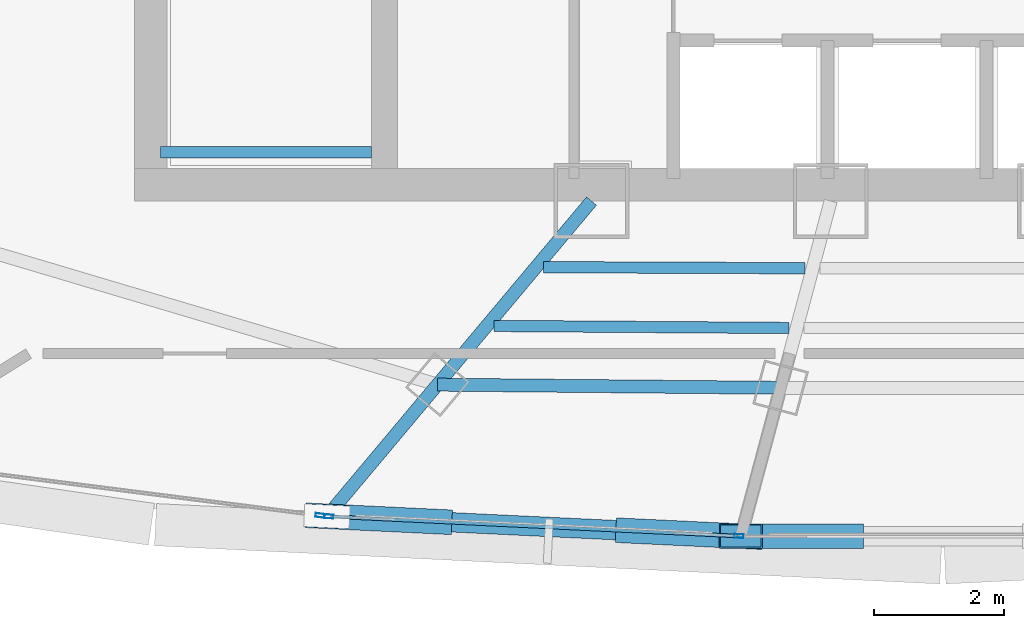
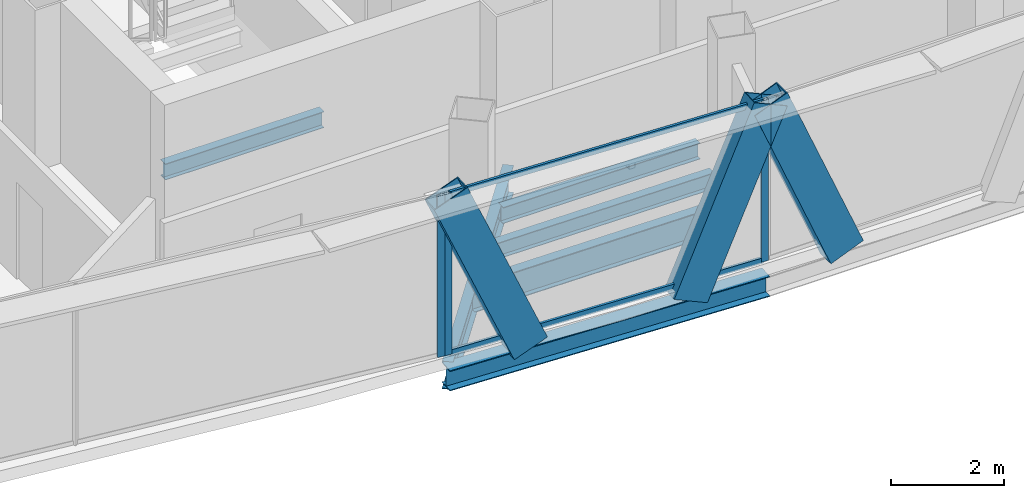
# One storey, part 4 of 30: 8 members, 6 beams, 2 elements without a shape of their own.
"""IFC4 building model written with IfcOpenShell, lengths in metres."""

from ifc_helpers import new_model, si_unit, direction, frame, origin, origin_2d, place, context, subcontext, project, spatial, hollow_rectangle, i_section, extrude, source, transform, mapped, material, layer, layer_set, material_profile, profile_set, type_object, element, aggregate, save


model = new_model("IFC4")

# Units and contexts
model_context = context("Model", 3, precision=1e-05, world=origin(), true_north=direction((0.0, 1.0)))
body_context = subcontext(model_context, "Body", "Model", "MODEL_VIEW")
ifc_project = project(units=[si_unit("LENGTHUNIT", "METRE"), si_unit("AREAUNIT", "SQUARE_METRE"), si_unit("VOLUMEUNIT", "CUBIC_METRE"), si_unit("PLANEANGLEUNIT", "RADIAN"), si_unit("MASSUNIT", "GRAM", prefix="KILO"), si_unit("THERMODYNAMICTEMPERATUREUNIT", "KELVIN"), si_unit("POWERUNIT", "WATT")], contexts=[model_context])

# Site, building, storey
site_placement = place(None, origin())
site = spatial("IfcSite", under=ifc_project, at=site_placement, CompositionType="ELEMENT")
building_placement = place(site_placement, origin())
building = spatial("IfcBuilding", under=site, at=building_placement, Name="Yunzhuo Pagoda Commons", CompositionType="ELEMENT")
storey_placement = place(building_placement, frame((0.0, 0.0, 348.010009765625)))
storey = spatial("IfcBuildingStorey", under=building, at=storey_placement, Name="L87", CompositionType="ELEMENT", Elevation=348.010009765625)

# Beams
ifc_material_1 = material(Name="Structural steel Q355B", Category="steel")
ifc_material_profile_1 = material_profile(ifc_material_1, i_section(OverallWidth=0.175048828125, OverallDepth=0.35009765625, WebThickness=0.007080078125, FlangeThickness=0.010986328125, at=origin_2d()), Name="Structural steel Q355B")
ifc_profile_set_1 = profile_set([ifc_material_profile_1], Name="Structural steel Q355B")
beam_type_1 = type_object("IfcBeamType", Name="B-JS2 Joist HN 350x175x7x11", PredefinedType="JOIST", material=ifc_profile_set_1)
shared_shape_1 = source(origin(), body_context, "Body", "SweptSolid", [
    extrude(i_section(OverallWidth=0.175048828125, OverallDepth=0.35009765625, WebThickness=0.007080078125, FlangeThickness=0.010986328125, at=origin_2d()), origin(), (0.0, 0.0, 1.0), 3.25),
])
beam_1_placement = place(storey_placement, frame((35.949951171875, 28.0, 1.5), z_axis=(1.0, 0.0, 0.0), x_axis=(0.0, 1.0, 0.0)))
element("IfcBeam", 1, at=beam_1_placement, inside=storey, type_object=beam_type_1, Name="L87 ST1 landing support beam 93A", PredefinedType="JOIST", context=body_context, shape_type="MappedRepresentation", body=[
    mapped(shared_shape_1, transform((0.0, 0.0, 0.0), scale=1.0)),
])
ifc_material_profile_2 = material_profile(ifc_material_1, i_section(OverallWidth=0.199951171875, OverallDepth=0.60009765625, WebThickness=0.010986328125, FlangeThickness=0.01708984375, at=origin_2d()), Name="Structural steel Q355B")
ifc_profile_set_2 = profile_set([ifc_material_profile_2], Name="Structural steel Q355B")
beam_type_2 = type_object("IfcBeamType", Name="B-RG3 Beam HN 600x200x11x17", PredefinedType="BEAM", material=ifc_profile_set_2)
shared_shape_2 = source(origin(), body_context, "Body", "SweptSolid", [
    extrude(i_section(OverallWidth=0.199951171875, OverallDepth=0.60009765625, WebThickness=0.010986328125, FlangeThickness=0.01708984375, at=origin_2d()), origin(), (0.0, 0.0, 1.0), 5.286376953125),
])
beam_2_placement = place(storey_placement, frame((40.214599609375, 24.421630859375, -0.56005859375), z_axis=(0.999957341442, -0.009236627946, 0.0), x_axis=(0.009236627946, 0.999957341442, 0.0)))
element("IfcBeam", 2, at=beam_2_placement, inside=storey, type_object=beam_type_2, Name="L87 column-ring beam 1", PredefinedType="BEAM", context=body_context, shape_type="MappedRepresentation", body=[
    mapped(shared_shape_2, transform((0.0, 0.0, 0.0), scale=1.0)),
])
shared_shape_3 = source(origin(), body_context, "Body", "SweptSolid", [
    extrude(i_section(OverallWidth=0.175048828125, OverallDepth=0.35009765625, WebThickness=0.007080078125, FlangeThickness=0.010986328125, at=origin_2d()), origin(), (0.0, 0.0, 1.0), 4.03076171875),
])
beam_3_placement = place(storey_placement, frame((41.848388671875, 26.231201171875, -0.43505859375), z_axis=(0.999991518197, -0.004118680996, 0.0), x_axis=(0.004118680996, 0.999991518197, 0.0)))
element("IfcBeam", 3, at=beam_3_placement, inside=storey, type_object=beam_type_1, Name="L87 composite ring joist 1.1", PredefinedType="JOIST", context=body_context, shape_type="MappedRepresentation", body=[
    mapped(shared_shape_3, transform((0.0, 0.0, 0.0), scale=1.0)),
])
shared_shape_4 = source(origin(), body_context, "Body", "SweptSolid", [
    extrude(i_section(OverallWidth=0.175048828125, OverallDepth=0.35009765625, WebThickness=0.007080078125, FlangeThickness=0.010986328125, at=origin_2d()), origin(), (0.0, 0.0, 1.0), 4.54345703125),
])
beam_4_placement = place(storey_placement, frame((41.089111328125, 25.325927734375, -0.43505859375), z_axis=(0.999975976237, -0.006931590593, 0.0), x_axis=(0.006931590593, 0.999975976237, 0.0)))
element("IfcBeam", 4, at=beam_4_placement, inside=storey, type_object=beam_type_1, Name="L87 composite ring joist 2.1", PredefinedType="JOIST", context=body_context, shape_type="MappedRepresentation", body=[
    mapped(shared_shape_4, transform((0.0, 0.0, 0.0), scale=1.0)),
])
shared_shape_5 = source(origin(), body_context, "Body", "SweptSolid", [
    extrude(i_section(OverallWidth=0.199951171875, OverallDepth=0.60009765625, WebThickness=0.010986328125, FlangeThickness=0.01708984375, at=origin_2d()), origin(), (0.0, 0.0, 1.0), 6.18505859375),
])
beam_5_placement = place(storey_placement, frame((38.6123046875, 22.511962890625, -0.56005859375), z_axis=(0.642778192614, 0.766052344882, 0.0), x_axis=(-0.766052344882, 0.642778192614, 0.0)))
element("IfcBeam", 5, at=beam_5_placement, inside=storey, type_object=beam_type_2, Name="L87 radial floor girder F1C1", PredefinedType="BEAM", context=body_context, shape_type="MappedRepresentation", body=[
    mapped(shared_shape_5, transform((0.0, 0.0, 0.0), scale=1.0)),
])
ifc_material_profile_3 = material_profile(ifc_material_1, i_section(OverallWidth=0.300048828125, OverallDepth=0.43994140625, WebThickness=0.010986328125, FlangeThickness=0.01806640625, at=origin_2d()), Name="Structural steel Q355B")
ifc_profile_set_3 = profile_set([ifc_material_profile_3], Name="Structural steel Q355B")
beam_type_3 = type_object("IfcBeamType", Name="B-SP2 Beam HM 440x300x11x18", PredefinedType="BEAM", material=ifc_profile_set_3)
shared_shape_6 = source(origin(), body_context, "Body", "SweptSolid", [
    extrude(i_section(OverallWidth=0.300048828125, OverallDepth=0.43994140625, WebThickness=0.010986328125, FlangeThickness=0.01806640625, at=origin_2d()), origin(), (0.0, 0.0, 1.0), 6.38330078125),
])
beam_6_placement = place(storey_placement, frame((38.512451171875, 22.3935546875, -0.47998046875), z_axis=(0.998852857038, -0.04788496619, 0.0), x_axis=(0.04788496619, 0.998852857038, 0.0)))
element("IfcBeam", 6, at=beam_6_placement, inside=storey, type_object=beam_type_3, Name="L87 facade edge spandrel beam F1.1", PredefinedType="BEAM", context=body_context, shape_type="MappedRepresentation", body=[
    mapped(shared_shape_6, transform((0.0, 0.0, 0.0), scale=1.0)),
])

# Members
ifc_material_profile_4 = material_profile(ifc_material_1, hollow_rectangle(XDim=0.3798828125, YDim=0.719970703125, WallThickness=0.02001953125, at=origin_2d()), Name="Structural steel Q355B")
ifc_profile_set_4 = profile_set([ifc_material_profile_4], Name="Structural steel Q355B")
member_type_1 = type_object("IfcMemberType", Name="M-DL3 Brace BOX 720x380x20", PredefinedType="BRACE", material=ifc_profile_set_4)
shared_shape_7 = source(origin(), body_context, "Body", "SweptSolid", [
    extrude(hollow_rectangle(XDim=0.3798828125, YDim=0.719970703125, WallThickness=0.02001953125, at=origin_2d()), origin(), (0.0, 0.0, 1.0), 4.075439453125),
])
for number, where, z_axis, x_axis, name in (
    (7, (40.1064453125, 22.317138671875, -0.260009765625), (-0.391122616009, 0.018750402636, 0.92014755428), (-0.04788496619, -0.998852857038, 0.0), "L87 facade diamond brace F1.1L"),
    (8, (43.29443359375, 22.164306640625, -0.260009765625), (0.391122616009, -0.018750402636, 0.92014755428), (0.04788496619, 0.998852857038, 0.0), "L87 facade diamond brace F1.1R"),
):
    element("IfcMember", number, at=place(storey_placement, frame(where, z_axis=z_axis, x_axis=x_axis)), inside=storey, type_object=member_type_1, Name=name, PredefinedType="BRACE", context=body_context, shape_type="MappedRepresentation", body=[
        mapped(shared_shape_7, transform((0.0, 0.0, 0.0), scale=1.0)),
    ])
shared_shape_8 = source(origin(), body_context, "Body", "SweptSolid", [
    extrude(hollow_rectangle(XDim=0.3798828125, YDim=0.719970703125, WallThickness=0.02001953125, at=origin_2d()), origin(), (0.0, 0.0, 1.0), 4.059814453125),
])
member_1_placement = place(storey_placement, frame((46.444091796875, 22.087890625, -0.260009765625), z_axis=(-0.383180219936, 0.0, 0.923673599845), x_axis=(0.0, -1.0, 0.0)))
element("IfcMember", 9, at=member_1_placement, inside=storey, type_object=member_type_1, Name="L87 facade diamond brace F1.2L", PredefinedType="BRACE", context=body_context, shape_type="MappedRepresentation", body=[
    mapped(shared_shape_8, transform((0.0, 0.0, 0.0), scale=1.0)),
])

# Curtain wall, members
ifc_material_2 = material(Name="Anodized aluminium 6063-T6", Category="aluminium")
ifc_layer = layer(ifc_material_2, 0.139892578125)
ifc_layer_set = layer_set([ifc_layer], Name="Anodized aluminium 6063-T6")
curtain_wall_type = type_object("IfcCurtainWallType", Name="CW-HI High-Zone Ribbon Curtain Wall", PredefinedType="NOTDEFINED", material=ifc_layer_set)
curtain_wall_1_placement = place(storey_placement, origin())
curtain_wall_1 = element("IfcCurtainWall", 10, at=curtain_wall_1_placement, inside=storey, type_object=curtain_wall_type, Name="L87 curtain wall CW-L87-F1B2", PredefinedType="NOTDEFINED")
ifc_material_profile_5 = material_profile(ifc_material_2, hollow_rectangle(XDim=0.06005859375, YDim=0.139892578125, WallThickness=0.00341796875, at=origin_2d()), Name="Anodized aluminium 6063-T6")
ifc_profile_set_5 = profile_set([ifc_material_profile_5], Name="Anodized aluminium 6063-T6")
member_type_2 = type_object("IfcMemberType", Name="CW-HI-M Mullion RHS 140x60x3.5", PredefinedType="MULLION", material=ifc_profile_set_5)
shared_shape_9 = source(origin(), body_context, "Body", "SweptSolid", [
    extrude(hollow_rectangle(XDim=0.06005859375, YDim=0.139892578125, WallThickness=0.00341796875, at=origin_2d()), origin(), (0.0, 0.0, 1.0), 3.489990234375),
])
member_2_placement = place(storey_placement, frame((38.542724609375, 22.391845703125, 0.0), z_axis=(0.0, 0.0, 1.0), x_axis=(0.047859147719, 0.99885409444, 0.0)))
member_2 = element("IfcMember", 11, at=member_2_placement, type_object=member_type_2, Name="CW mullion 1", PredefinedType="MULLION", context=body_context, shape_type="MappedRepresentation", body=[
    mapped(shared_shape_9, transform((0.0, 0.0, 0.0), scale=1.0)),
])
member_3_placement = place(storey_placement, frame((44.858642578125, 22.089111328125, 0.0), z_axis=(0.0, 0.0, 1.0), x_axis=(0.047859147719, 0.99885409444, 0.0)))
member_3 = element("IfcMember", 12, at=member_3_placement, type_object=member_type_2, Name="CW mullion 2", PredefinedType="MULLION", context=body_context, shape_type="MappedRepresentation", body=[
    mapped(shared_shape_9, transform((0.0, 0.0, 0.0), scale=1.0)),
])

# Curtain wall, member
curtain_wall_2_placement = place(storey_placement, origin())
curtain_wall_2 = element("IfcCurtainWall", 13, at=curtain_wall_2_placement, inside=storey, type_object=curtain_wall_type, Name="L87 curtain wall CW-L87-F1B1", PredefinedType="NOTDEFINED")
member_4_placement = place(storey_placement, frame((38.408447265625, 22.406494140625, 0.0), z_axis=(0.0, 0.0, 1.0), x_axis=(0.126570661327, 0.991957593696, 0.0)))
member_4 = element("IfcMember", 14, at=member_4_placement, type_object=member_type_2, Name="CW mullion 2", PredefinedType="MULLION", context=body_context, shape_type="MappedRepresentation", body=[
    mapped(shared_shape_9, transform((0.0, 0.0, 0.0), scale=1.0)),
])
aggregate(curtain_wall_2, [member_4])

# Member
ifc_material_profile_6 = material_profile(ifc_material_2, hollow_rectangle(XDim=0.054931640625, YDim=0.1201171875, WallThickness=0.00341796875, at=origin_2d()), Name="Anodized aluminium 6063-T6")
ifc_profile_set_6 = profile_set([ifc_material_profile_6], Name="Anodized aluminium 6063-T6")
member_type_3 = type_object("IfcMemberType", Name="CW-HI-T Transom RHS 120x55x3.5", PredefinedType="USERDEFINED", material=ifc_profile_set_6)
shared_shape_10 = source(origin(), body_context, "Body", "SweptSolid", [
    extrude(hollow_rectangle(XDim=0.054931640625, YDim=0.1201171875, WallThickness=0.00341796875, at=origin_2d()), origin(), (0.0, 0.0, 1.0), 6.26318359375),
])
member_5_placement = place(storey_placement, frame((38.572509765625, 22.390380859375, 0.027587890625), z_axis=(0.998853717259, -0.047867019114, 0.0), x_axis=(0.047867019114, 0.998853717259, 0.0)))
member_5 = element("IfcMember", 15, at=member_5_placement, type_object=member_type_3, Name="CW transom 1.1", ObjectType="TRANSOM", PredefinedType="USERDEFINED", context=body_context, shape_type="MappedRepresentation", body=[
    mapped(shared_shape_10, transform((0.0, 0.0, 0.0), scale=1.0)),
])

member_6_placement = place(storey_placement, frame((38.572509765625, 22.390380859375, 3.46240234375), z_axis=(0.998853717259, -0.047867019114, 0.0), x_axis=(0.047867019114, 0.998853717259, 0.0)))
member_6 = element("IfcMember", 16, at=member_6_placement, type_object=member_type_3, Name="CW transom 1.2", ObjectType="TRANSOM", PredefinedType="USERDEFINED", context=body_context, shape_type="MappedRepresentation", body=[
    mapped(shared_shape_10, transform((0.0, 0.0, 0.0), scale=1.0)),
])

aggregate(curtain_wall_1, [member_2, member_3, member_5, member_6])

save(model, "model.ifc")
